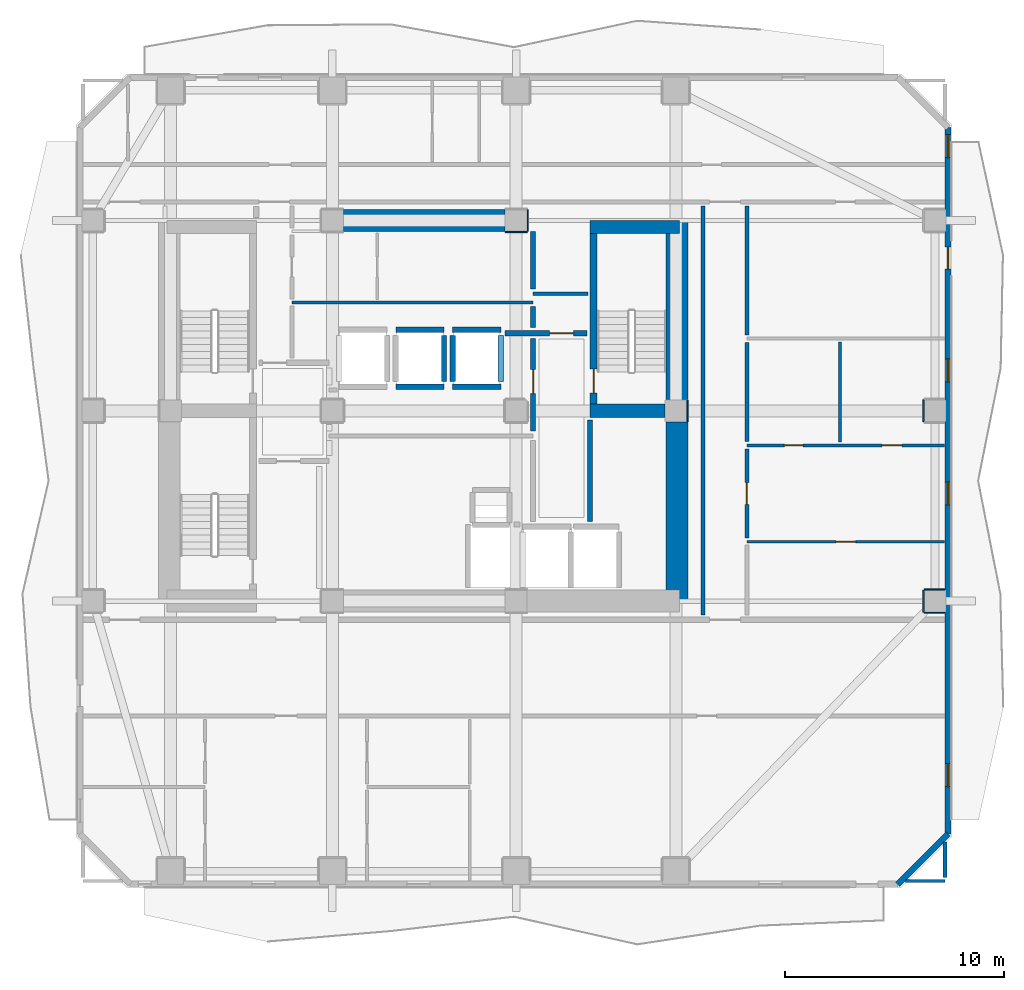
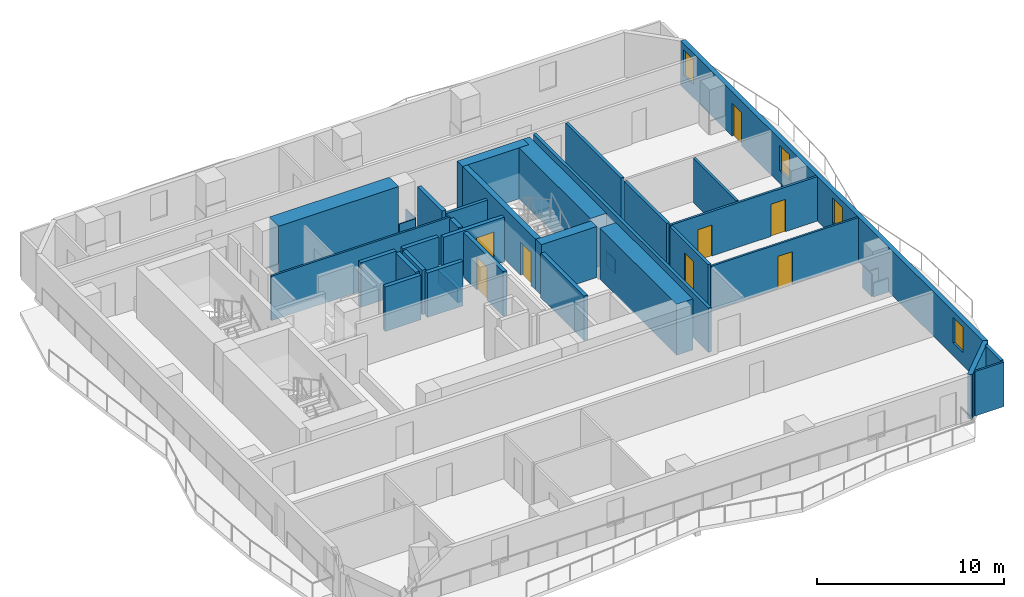
# One storey, part 4 of 9: 38 walls, 8 doors, 4 windows, 12 openings.
"""IFC4 building model written with IfcOpenShell, lengths in metres."""

from ifc_helpers import new_model, si_unit, direction, frame, frame_2d, origin, place, context, subcontext, project, spatial, rectangle, extrude, material, layer, layer_set, type_object, element, fill, save


model = new_model("IFC4")

# Units and contexts
model_context = context("Model", 3, precision=1e-05, world=origin(), true_north=direction((0.0, 1.0)))
body_context = subcontext(model_context, "Body", "Model", "MODEL_VIEW")
ifc_project = project(units=[si_unit("LENGTHUNIT", "METRE"), si_unit("AREAUNIT", "SQUARE_METRE"), si_unit("VOLUMEUNIT", "CUBIC_METRE"), si_unit("PLANEANGLEUNIT", "RADIAN"), si_unit("MASSUNIT", "GRAM", prefix="KILO")], contexts=[model_context])

# Site, building, storey
site_placement = place(None, origin())
site = spatial("IfcSite", under=ifc_project, at=site_placement, CompositionType="ELEMENT")
building_placement = place(site_placement, origin())
building = spatial("IfcBuilding", under=site, at=building_placement, Name="Solanera Arch Residences", CompositionType="ELEMENT")
storey_placement = place(building_placement, frame((0.0, 0.0, 142.60009765625)))
storey = spatial("IfcBuildingStorey", under=building, at=storey_placement, Name="L41", CompositionType="ELEMENT", Elevation=142.60009765625)

# Walls
ifc_material_1 = material(Name="Fire-Rated Gypsum Stud Partition", Category="gypsum")
ifc_layer_1 = layer(ifc_material_1, 0.06005859375)
ifc_layer_set_1 = layer_set([ifc_layer_1], Name="Fire-Rated Gypsum Stud Partition")
wall_type_1 = type_object("IfcWallType", Name="Column Acoustic Furring Wall 60", PredefinedType="PARTITIONING", material=ifc_layer_set_1)
for number, where, z_axis, x_axis, name in (
    (1, (28.699951171875, 38.867919921875, 0.0), (0.0, 0.0, 1.0), (1.0, 0.0, 0.0), "L41 Column Furring 4S"),
    (2, (29.73193359375, 38.89990234375, 0.0), (0.0, 0.0, 1.0), (0.0, 1.0, 0.0), "L41 Column Furring 4E"),
):
    element("IfcWall", number, at=place(storey_placement, frame(where, z_axis=z_axis, x_axis=x_axis)), inside=storey, type_object=wall_type_1, Name=name, PredefinedType="PARTITIONING", context=body_context, shape_type="SweptSolid", body=[
        extrude(rectangle(XDim=1.0, YDim=0.06005859375, at=frame_2d((0.5, 0.0))), origin(), (0.0, 0.0, 1.0), 0.90478515625),
    ])
wall_1_placement = place(storey_placement, frame((37.031982421875, 30.2099609375, 0.0), z_axis=(0.0, 0.0, 1.0), x_axis=(0.0, 1.0, 0.0)))
element("IfcWall", 3, at=wall_1_placement, inside=storey, type_object=wall_type_1, Name="L41 Column Furring 6E", PredefinedType="PARTITIONING", context=body_context, shape_type="SweptSolid", body=[
    extrude(rectangle(XDim=0.97998046875, YDim=0.06005859375, at=frame_2d((0.489990234375, 0.0))), origin(), (0.0, 0.0, 1.0), 0.90478515625),
])
for number, where, z_axis, x_axis, name in (
    (4, (47.85009765625, 21.468017578125, 0.0), (0.0, 0.0, 1.0), (1.0, 0.0, 0.0), "L41 Column Furring 18S"),
    (5, (47.85009765625, 22.531982421875, 0.0), (0.0, 0.0, 1.0), (1.0, 0.0, 0.0), "L41 Column Furring 18N"),
):
    element("IfcWall", number, at=place(storey_placement, frame(where, z_axis=z_axis, x_axis=x_axis)), inside=storey, type_object=wall_type_1, Name=name, PredefinedType="PARTITIONING", context=body_context, shape_type="SweptSolid", body=[
        extrude(rectangle(XDim=0.93994140625, YDim=0.06005859375, at=frame_2d((0.469970703125, 0.0))), origin(), (0.0, 0.0, 1.0), 0.90478515625),
    ])
for number, where, z_axis, x_axis, name in (
    (6, (47.818115234375, 21.5, 0.0), (0.0, 0.0, 1.0), (0.0, 1.0, 0.0), "L41 Column Furring 18W"),
    (7, (47.818115234375, 30.199951171875, 0.0), (0.0, 0.0, 1.0), (0.0, 1.0, 0.0), "L41 Column Furring 20W"),
):
    element("IfcWall", number, at=place(storey_placement, frame(where, z_axis=z_axis, x_axis=x_axis)), inside=storey, type_object=wall_type_1, Name=name, PredefinedType="PARTITIONING", context=body_context, shape_type="SweptSolid", body=[
        extrude(rectangle(XDim=1.0, YDim=0.06005859375, at=frame_2d((0.5, 0.0))), origin(), (0.0, 0.0, 1.0), 1.449951171875),
    ])
ifc_material_2 = material(Name="Concrete C55/67 (f'c = 60 MPa)", Category="concrete")
ifc_layer_2 = layer(ifc_material_2, 1.0)
ifc_layer_set_2 = layer_set([ifc_layer_2], Name="Concrete C55/67 (f'c = 60 MPa)")
wall_type_2 = type_object("IfcWallType", Name="Core Shear Wall CW-1000", PredefinedType="SHEAR", material=ifc_layer_set_2)
wall_2_placement = place(storey_placement, frame((36.56005859375, 22.0, 0.0), z_axis=(0.0, 0.0, 1.0), x_axis=(0.0, 1.0, 0.0)))
element("IfcWall", 8, at=wall_2_placement, inside=storey, type_object=wall_type_2, Name="L41 East Core South Shear Wall", PredefinedType="SHEAR", context=body_context, shape_type="SweptSolid", body=[
    extrude(rectangle(XDim=8.195068359375, YDim=1.0, at=frame_2d((4.09765625, 0.0))), origin(), (0.0, 0.0, 1.0), 3.31982421875),
])
wall_3_placement = place(storey_placement, frame((36.56005859375, 31.205078125, 0.0), z_axis=(0.0, 0.0, 1.0), x_axis=(0.0, 1.0, 0.0)))
element("IfcWall", 9, at=wall_3_placement, inside=storey, type_object=wall_type_2, Name="L41 East Core North Shear Wall", PredefinedType="SHEAR", context=body_context, shape_type="SweptSolid", body=[
    extrude(rectangle(XDim=8.19482421875, YDim=1.0, at=frame_2d((4.097412109375, 0.0))), origin(), (0.0, 0.0, 1.0), 3.31982421875),
])
wall_4_placement = place(storey_placement, frame((21.304931640625, 39.39990234375, 0.0), z_axis=(0.0, 0.0, 1.0), x_axis=(1.0, 0.0, 0.0)))
element("IfcWall", 10, at=wall_4_placement, inside=storey, type_object=wall_type_2, Name="L41 Central North Core Shear Wall", PredefinedType="SHEAR", context=body_context, shape_type="SweptSolid", body=[
    extrude(rectangle(XDim=7.39013671875, YDim=1.0, at=frame_2d((3.695068359375, 0.0))), origin(), (0.0, 0.0, 1.0), 3.31982421875),
])

# Wall, opening, door
ifc_material_3 = material(Name="Concrete C40/50 (f'c = 45 MPa)", Category="concrete")
ifc_layer_3 = layer(ifc_material_3, 0.320068359375)
ifc_layer_set_3 = layer_set([ifc_layer_3], Name="Concrete C40/50 (f'c = 45 MPa)")
wall_type_3 = type_object("IfcWallType", Name="Core Shear Wall CW-320", PredefinedType="SHEAR", material=ifc_layer_set_3)
wall_5_placement = place(storey_placement, frame((32.739990234375, 31.0, 0.0), z_axis=(0.0, 0.0, 1.0), x_axis=(0.0, 1.0, 0.0)))
wall_5 = element("IfcWall", 11, at=wall_5_placement, inside=storey, type_object=wall_type_3, Name="L41 Stair ST-T2 West Shear Wall", PredefinedType="SHEAR", context=body_context, shape_type="SweptSolid", body=[
    extrude(rectangle(XDim=7.800048828125, YDim=0.320068359375, at=frame_2d((3.89990234375, 0.0))), origin(), (0.0, 0.0, 1.0), 3.31982421875),
])
opening_1_placement = place(wall_5_placement, frame((0.510009765625, 0.0, 0.0)))
opening_1 = element("IfcOpeningElement", 12, at=opening_1_placement, cuts=wall_5, Name="Opening DF-01", PredefinedType="OPENING", context=body_context, shape_type="SweptSolid", body=[
    extrude(rectangle(XDim=1.10009765625, YDim=2.14990234375, at=frame_2d((0.550048828125, 1.074951171875))), frame((0.0, 0.169921875, 0.0), z_axis=(0.0, -1.0, 0.0), x_axis=(1.0, 0.0, 0.0)), (0.0, 0.0, 1.0), 0.3401),
])
ifc_material_4 = material(Name="Fire-Rated Architectural Hardwood", Category="wood")
door_type_1 = type_object("IfcDoorType", Name="Stair Exit Fire Door DF-01", OperationType="NOTDEFINED", PredefinedType="DOOR", material=ifc_material_4)
door_1_placement = place(opening_1_placement, origin())
door_1 = element("IfcDoor", 13, at=door_1_placement, inside=storey, type_object=door_type_1, Name="DR-L41-STAIR-ST-T2", OperationType="SINGLE_SWING_LEFT", OverallHeight=2.14990234375, OverallWidth=1.10009765625, PredefinedType="DOOR", context=body_context, shape_type="SweptSolid", body=[
    extrude(rectangle(XDim=1.10009765625, YDim=2.14990234375, at=frame_2d((0.550048828125, 1.074951171875))), frame((0.0, 0.02490234375, 0.0), z_axis=(0.0, -1.0, 0.0), x_axis=(1.0, 0.0, 0.0)), (0.0, 0.0, 1.0), 0.050048828125),
])
fill(opening_1, door_1)

# Walls
ifc_material_5 = material(Name="Concrete C40/50 (f'c = 45 MPa)", Category="concrete")
ifc_layer_4 = layer(ifc_material_5, 0.60009765625)
ifc_layer_set_4 = layer_set([ifc_layer_4], Name="Concrete C40/50 (f'c = 45 MPa)")
wall_type_4 = type_object("IfcWallType", Name="Core Shear Wall CW-600", PredefinedType="SHEAR", material=ifc_layer_set_4)
wall_6_placement = place(storey_placement, frame((32.580078125, 39.10009765625, 0.0), z_axis=(0.0, 0.0, 1.0), x_axis=(1.0, 0.0, 0.0)))
element("IfcWall", 14, at=wall_6_placement, inside=storey, type_object=wall_type_4, Name="L41 North-East Core Shear Wall", PredefinedType="SHEAR", context=body_context, shape_type="SweptSolid", body=[
    extrude(rectangle(XDim=4.079833984375, YDim=0.60009765625, at=frame_2d((2.0400390625, 0.0))), origin(), (0.0, 0.0, 1.0), 3.31982421875),
])
wall_7_placement = place(storey_placement, frame((32.580078125, 30.699951171875, 0.0), z_axis=(0.0, 0.0, 1.0), x_axis=(1.0, 0.0, 0.0)))
element("IfcWall", 15, at=wall_7_placement, inside=storey, type_object=wall_type_4, Name="L41 East Stair Far-Landing Shear Wall", PredefinedType="SHEAR", context=body_context, shape_type="SweptSolid", body=[
    extrude(rectangle(XDim=3.4150390625, YDim=0.60009765625, at=frame_2d((1.70751953125, 0.0))), origin(), (0.0, 0.0, 1.0), 3.31982421875),
])
ifc_material_6 = material(Name="Autoclaved Aerated Concrete Blockwork", Category="masonry")
ifc_layer_5 = layer(ifc_material_6, 0.179931640625)
ifc_layer_set_5 = layer_set([ifc_layer_5], Name="Autoclaved Aerated Concrete Blockwork")
wall_type_5 = type_object("IfcWallType", Name="Corridor Fire Partition 180", PredefinedType="PARTITIONING", material=ifc_layer_set_5)
wall_8_placement = place(storey_placement, frame((29.97509765625, 36.050048828125, 0.0), z_axis=(0.0, 0.0, 1.0), x_axis=(1.0, 0.0, 0.0)))
element("IfcWall", 16, at=wall_8_placement, inside=storey, type_object=wall_type_5, Name="L41 Interior Partition H9", PredefinedType="PARTITIONING", context=body_context, shape_type="SweptSolid", body=[
    extrude(rectangle(XDim=2.5048828125, YDim=0.179931640625, at=frame_2d((1.25244140625, 0.0))), origin(), (0.0, 0.0, 1.0), 2.89990234375),
])
wall_9_placement = place(storey_placement, frame((37.75, 21.367919921875, 0.0), z_axis=(0.0, 0.0, 1.0), x_axis=(0.0, 1.0, 0.0)))
element("IfcWall", 17, at=wall_9_placement, inside=storey, type_object=wall_type_5, Name="L41 Interior Partition V10", PredefinedType="PARTITIONING", context=body_context, shape_type="SweptSolid", body=[
    extrude(rectangle(XDim=18.694091796875, YDim=0.179931640625, at=frame_2d((9.34716796875, 0.0))), origin(), (0.0, 0.0, 1.0), 2.89990234375),
])

# Wall, opening, door
wall_10_placement = place(storey_placement, frame((39.75, 24.876953125, 0.0), z_axis=(0.0, 0.0, 1.0), x_axis=(0.0, 1.0, 0.0)))
wall_10 = element("IfcWall", 18, at=wall_10_placement, inside=storey, type_object=wall_type_5, Name="L41 Interior Partition V11 2", PredefinedType="PARTITIONING", context=body_context, shape_type="SweptSolid", body=[
    extrude(rectangle(XDim=4.074951171875, YDim=0.179931640625, at=frame_2d((2.03759765625, 0.0))), origin(), (0.0, 0.0, 1.0), 2.89990234375),
])
opening_2_placement = place(wall_10_placement, frame((1.54296875, 0.0, 0.0)))
opening_2 = element("IfcOpeningElement", 19, at=opening_2_placement, cuts=wall_10, Name="Opening DI-01", PredefinedType="OPENING", context=body_context, shape_type="SweptSolid", body=[
    extrude(rectangle(XDim=1.0, YDim=2.14990234375, at=frame_2d((0.5, 1.074951171875))), frame((0.0, 0.10009765625, 0.0), z_axis=(0.0, -1.0, 0.0), x_axis=(1.0, 0.0, 0.0)), (0.0, 0.0, 1.0), 0.1999),
])
ifc_material_7 = material(Name="Fire-Rated Architectural Hardwood", Category="wood")
door_type_2 = type_object("IfcDoorType", Name="Unit Entrance Fire Door DI-01", OperationType="NOTDEFINED", PredefinedType="DOOR", material=ifc_material_7)
door_2_placement = place(opening_2_placement, origin())
door_2 = element("IfcDoor", 20, at=door_2_placement, inside=storey, type_object=door_type_2, Name="DR-L41-IN-026", OperationType="SINGLE_SWING_LEFT", OverallHeight=2.14990234375, OverallWidth=1.0, PredefinedType="DOOR", context=body_context, shape_type="SweptSolid", body=[
    extrude(rectangle(XDim=1.0, YDim=2.14990234375, at=frame_2d((0.5, 1.074951171875))), frame((0.0, 0.02490234375, 0.0), z_axis=(0.0, -1.0, 0.0), x_axis=(1.0, 0.0, 0.0)), (0.0, 0.0, 1.0), 0.050048828125),
])
fill(opening_2, door_2)

# Walls
wall_11_placement = place(storey_placement, frame((39.75, 29.2880859375, 0.0), z_axis=(0.0, 0.0, 1.0), x_axis=(0.0, 1.0, 0.0)))
element("IfcWall", 21, at=wall_11_placement, inside=storey, type_object=wall_type_5, Name="L41 Interior Partition V11 3", PredefinedType="PARTITIONING", context=body_context, shape_type="SweptSolid", body=[
    extrude(rectangle(XDim=4.5439453125, YDim=0.179931640625, at=frame_2d((2.27197265625, 0.0))), origin(), (0.0, 0.0, 1.0), 2.89990234375),
])
wall_12_placement = place(storey_placement, frame((39.75, 34.16796875, 0.0), z_axis=(0.0, 0.0, 1.0), x_axis=(0.0, 1.0, 0.0)))
element("IfcWall", 22, at=wall_12_placement, inside=storey, type_object=wall_type_5, Name="L41 Interior Partition V11 4", PredefinedType="PARTITIONING", context=body_context, shape_type="SweptSolid", body=[
    extrude(rectangle(XDim=5.89404296875, YDim=0.179931640625, at=frame_2d((2.947021484375, 0.0))), origin(), (0.0, 0.0, 1.0), 2.89990234375),
])
wall_13_placement = place(storey_placement, frame((48.800048828125, 9.35791015625, 0.0), z_axis=(0.0, 0.0, 1.0), x_axis=(0.0, 1.0, 0.0)))
element("IfcWall", 23, at=wall_13_placement, inside=storey, type_object=wall_type_5, Name="L41 Interior Partition V12 1", PredefinedType="PARTITIONING", context=body_context, shape_type="SweptSolid", body=[
    extrude(rectangle(XDim=1.63720703125, YDim=0.179931640625, at=frame_2d((0.818603515625, 0.0))), origin(), (0.0, 0.0, 1.0), 2.89990234375),
])

# Wall, openings, door, windows
ifc_material_8 = material(Name="Precast Concrete C35/45", Category="concrete")
ifc_layer_6 = layer(ifc_material_8, 0.280029296875)
ifc_layer_set_6 = layer_set([ifc_layer_6], Name="Precast Concrete C35/45")
wall_type_6 = type_object("IfcWallType", Name="Exterior Wall Precast Masonry-Frame 280", PredefinedType="STANDARD", material=ifc_layer_set_6)
wall_14_placement = place(storey_placement, frame((48.945068359375, 43.64501953125, 0.0), z_axis=(0.0, 0.0, 1.0), x_axis=(0.0, -1.0, 0.0)))
wall_14 = element("IfcWall", 24, at=wall_14_placement, inside=storey, type_object=wall_type_6, Name="L41 Tower Exterior Precast Masonry-Frame Wall E", PredefinedType="STANDARD", context=body_context, shape_type="SweptSolid", body=[
    extrude(rectangle(XDim=32.2900390625, YDim=0.280029296875, at=frame_2d((16.14501953125, 0.0))), origin(), (0.0, 0.0, 1.0), 2.89990234375),
])
opening_3_placement = place(wall_14_placement, frame((5.467041015625, 0.0, 0.0)))
opening_3 = element("IfcOpeningElement", 25, at=opening_3_placement, cuts=wall_14, Name="Opening DB-01", PredefinedType="OPENING", context=body_context, shape_type="SweptSolid", body=[
    extrude(rectangle(XDim=1.0, YDim=2.14990234375, at=frame_2d((0.5, 1.074951171875))), frame((0.0, 0.14990234375, 0.0), z_axis=(0.0, -1.0, 0.0), x_axis=(1.0, 0.0, 0.0)), (0.0, 0.0, 1.0), 0.3),
])
opening_4_placement = place(wall_14_placement, frame((29.072998046875, 0.0, 0.85009765625)))
opening_4 = element("IfcOpeningElement", 26, at=opening_4_placement, cuts=wall_14, Name="Opening W-07", PredefinedType="OPENING", context=body_context, shape_type="SweptSolid", body=[
    extrude(rectangle(XDim=1.050048828125, YDim=1.64990234375, at=frame_2d((0.52490234375, 0.824951171875))), frame((0.0, 0.14990234375, 0.0), z_axis=(0.0, -1.0, 0.0), x_axis=(1.0, 0.0, 0.0)), (0.0, 0.0, 1.0), 0.3),
])
opening_5_placement = place(wall_14_placement, frame((0.318115234375, 0.0, 0.85009765625)))
opening_5 = element("IfcOpeningElement", 27, at=opening_5_placement, cuts=wall_14, Name="Opening W-07", PredefinedType="OPENING", context=body_context, shape_type="SweptSolid", body=[
    extrude(rectangle(XDim=1.050048828125, YDim=1.64990234375, at=frame_2d((0.52490234375, 0.824951171875))), frame((0.0, 0.14990234375, 0.0), z_axis=(0.0, -1.0, 0.0), x_axis=(1.0, 0.0, 0.0)), (0.0, 0.0, 1.0), 0.3),
])
opening_6_placement = place(wall_14_placement, frame((16.200927734375, 0.0, 0.85009765625)))
opening_6 = element("IfcOpeningElement", 28, at=opening_6_placement, cuts=wall_14, Name="Opening W-07", PredefinedType="OPENING", context=body_context, shape_type="SweptSolid", body=[
    extrude(rectangle(XDim=1.050048828125, YDim=1.64990234375, at=frame_2d((0.52490234375, 0.824951171875))), frame((0.0, 0.14990234375, 0.0), z_axis=(0.0, -1.0, 0.0), x_axis=(1.0, 0.0, 0.0)), (0.0, 0.0, 1.0), 0.3),
])
opening_7_placement = place(wall_14_placement, frame((10.570068359375, 0.0, 0.85009765625)))
opening_7 = element("IfcOpeningElement", 29, at=opening_7_placement, cuts=wall_14, Name="Opening W-07", PredefinedType="OPENING", context=body_context, shape_type="SweptSolid", body=[
    extrude(rectangle(XDim=1.050048828125, YDim=1.64990234375, at=frame_2d((0.52490234375, 0.824951171875))), frame((0.0, 0.14990234375, 0.0), z_axis=(0.0, -1.0, 0.0), x_axis=(1.0, 0.0, 0.0)), (0.0, 0.0, 1.0), 0.3),
])
ifc_material_9 = material(Name="Anodised Aluminium Alloy 6063-T6", Category="aluminium")
door_type_3 = type_object("IfcDoorType", Name="Glazed Balcony Swing Door DB-01", OperationType="NOTDEFINED", PredefinedType="DOOR", material=ifc_material_9)
door_3_placement = place(opening_3_placement, origin())
door_3 = element("IfcDoor", 30, at=door_3_placement, inside=storey, type_object=door_type_3, Name="DR-L41-OUT-03", OperationType="SINGLE_SWING_LEFT", OverallHeight=2.14990234375, OverallWidth=1.0, PredefinedType="DOOR", context=body_context, shape_type="SweptSolid", body=[
    extrude(rectangle(XDim=1.0, YDim=2.14990234375, at=frame_2d((0.5, 1.074951171875))), frame((0.0, 0.02490234375, 0.0), z_axis=(0.0, -1.0, 0.0), x_axis=(1.0, 0.0, 0.0)), (0.0, 0.0, 1.0), 0.050048828125),
])
fill(opening_3, door_3)
ifc_material_10 = material(Name="Double Glazed Low-E Laminated Glass", Category="glass")
window_type = type_object("IfcWindowType", Name="Punched Window W-07", PartitioningType="SINGLE_PANEL", PredefinedType="WINDOW", material=ifc_material_10)
window_1_placement = place(opening_4_placement, origin())
window_1 = element("IfcWindow", 31, at=window_1_placement, inside=storey, type_object=window_type, Name="L41 AMN-LNG Punched Window", OverallHeight=1.64990234375, OverallWidth=1.050048828125, PartitioningType="SINGLE_PANEL", PredefinedType="WINDOW", context=body_context, shape_type="SweptSolid", body=[
    extrude(rectangle(XDim=1.050048828125, YDim=1.64990234375, at=frame_2d((0.52490234375, 0.824951171875))), frame((0.0, 0.030029296875, 0.0), z_axis=(0.0, -1.0, 0.0), x_axis=(1.0, 0.0, 0.0)), (0.0, 0.0, 1.0), 0.06005859375),
])
fill(opening_4, window_1)
window_2_placement = place(opening_5_placement, origin())
window_2 = element("IfcWindow", 32, at=window_2_placement, inside=storey, type_object=window_type, Name="L41 AMN-MTG1 Punched Window", OverallHeight=1.64990234375, OverallWidth=1.050048828125, PartitioningType="SINGLE_PANEL", PredefinedType="WINDOW", context=body_context, shape_type="SweptSolid", body=[
    extrude(rectangle(XDim=1.050048828125, YDim=1.64990234375, at=frame_2d((0.52490234375, 0.824951171875))), frame((0.0, 0.030029296875, 0.0), z_axis=(0.0, -1.0, 0.0), x_axis=(1.0, 0.0, 0.0)), (0.0, 0.0, 1.0), 0.06005859375),
])
fill(opening_5, window_2)
window_3_placement = place(opening_6_placement, origin())
window_3 = element("IfcWindow", 33, at=window_3_placement, inside=storey, type_object=window_type, Name="L41 4103-LIV Punched Window", OverallHeight=1.64990234375, OverallWidth=1.050048828125, PartitioningType="SINGLE_PANEL", PredefinedType="WINDOW", context=body_context, shape_type="SweptSolid", body=[
    extrude(rectangle(XDim=1.050048828125, YDim=1.64990234375, at=frame_2d((0.52490234375, 0.824951171875))), frame((0.0, 0.030029296875, 0.0), z_axis=(0.0, -1.0, 0.0), x_axis=(1.0, 0.0, 0.0)), (0.0, 0.0, 1.0), 0.06005859375),
])
fill(opening_6, window_3)
window_4_placement = place(opening_7_placement, origin())
window_4 = element("IfcWindow", 34, at=window_4_placement, inside=storey, type_object=window_type, Name="L41 4103-BR1 Punched Window", OverallHeight=1.64990234375, OverallWidth=1.050048828125, PartitioningType="SINGLE_PANEL", PredefinedType="WINDOW", context=body_context, shape_type="SweptSolid", body=[
    extrude(rectangle(XDim=1.050048828125, YDim=1.64990234375, at=frame_2d((0.52490234375, 0.824951171875))), frame((0.0, 0.030029296875, 0.0), z_axis=(0.0, -1.0, 0.0), x_axis=(1.0, 0.0, 0.0)), (0.0, 0.0, 1.0), 0.06005859375),
])
fill(opening_7, window_4)

# Walls
wall_15_placement = place(storey_placement, frame((48.945068359375, 11.35498046875, 0.0), z_axis=(0.0, 0.0, 1.0), x_axis=(-0.707106781187, -0.707106781187, 0.0)))
element("IfcWall", 35, at=wall_15_placement, inside=storey, type_object=wall_type_6, Name="L41 Tower Exterior Precast Masonry-Frame Wall CH5", PredefinedType="STANDARD", context=body_context, shape_type="SweptSolid", body=[
    extrude(rectangle(XDim=3.252685546875, YDim=0.280029296875, at=frame_2d((1.62646484375, 0.0))), origin(), (0.0, 0.0, 1.0), 2.89990234375),
])
ifc_material_11 = material(Name="Autoclaved Aerated Concrete Blockwork", Category="masonry")
ifc_layer_7 = layer(ifc_material_11, 0.239990234375)
ifc_layer_set_7 = layer_set([ifc_layer_7], Name="Autoclaved Aerated Concrete Blockwork")
wall_type_7 = type_object("IfcWallType", Name="Shaft Wall Fire-Rated 240", PredefinedType="PARTITIONING", material=ifc_layer_set_7)
for number, where, z_axis, x_axis, name in (
    (36, (23.699951171875, 31.800048828125, 0.0), (0.0, 0.0, 1.0), (1.0, 0.0, 0.0), "L41 Lift PL-M2 Hoistway Wall S"),
    (37, (23.699951171875, 34.39990234375, 0.0), (0.0, 0.0, 1.0), (1.0, 0.0, 0.0), "L41 Lift PL-M2 Hoistway Wall N"),
):
    element("IfcWall", number, at=place(storey_placement, frame(where, z_axis=z_axis, x_axis=x_axis)), inside=storey, type_object=wall_type_7, Name=name, PredefinedType="PARTITIONING", context=body_context, shape_type="SweptSolid", body=[
        extrude(rectangle(XDim=2.199951171875, YDim=0.239990234375, at=frame_2d((1.10009765625, 0.0))), origin(), (0.0, 0.0, 1.0), 2.89990234375),
    ])
wall_16_placement = place(storey_placement, frame((25.89990234375, 32.048095703125, 0.0), z_axis=(0.0, 0.0, 1.0), x_axis=(0.0, 1.0, 0.0)))
element("IfcWall", 38, at=wall_16_placement, inside=storey, type_object=wall_type_7, Name="L41 Lift PL-M2 Hoistway Wall E", PredefinedType="PARTITIONING", context=body_context, shape_type="SweptSolid", body=[
    extrude(rectangle(XDim=2.10400390625, YDim=0.239990234375, at=frame_2d((1.052001953125, 0.0))), origin(), (0.0, 0.0, 1.0), 2.89990234375),
])
for number, where, z_axis, x_axis, name in (
    (39, (26.300048828125, 31.800048828125, 0.0), (0.0, 0.0, 1.0), (1.0, 0.0, 0.0), "L41 Lift PL-M3 Hoistway Wall S"),
    (40, (26.300048828125, 34.39990234375, 0.0), (0.0, 0.0, 1.0), (1.0, 0.0, 0.0), "L41 Lift PL-M3 Hoistway Wall N"),
):
    element("IfcWall", number, at=place(storey_placement, frame(where, z_axis=z_axis, x_axis=x_axis)), inside=storey, type_object=wall_type_7, Name=name, PredefinedType="PARTITIONING", context=body_context, shape_type="SweptSolid", body=[
        extrude(rectangle(XDim=2.199951171875, YDim=0.239990234375, at=frame_2d((1.10009765625, 0.0))), origin(), (0.0, 0.0, 1.0), 2.89990234375),
    ])
wall_17_placement = place(storey_placement, frame((26.300048828125, 32.048095703125, 0.0), z_axis=(0.0, 0.0, 1.0), x_axis=(0.0, 1.0, 0.0)))
element("IfcWall", 41, at=wall_17_placement, inside=storey, type_object=wall_type_7, Name="L41 Lift PL-M3 Hoistway Wall W", PredefinedType="PARTITIONING", context=body_context, shape_type="SweptSolid", body=[
    extrude(rectangle(XDim=2.10400390625, YDim=0.239990234375, at=frame_2d((1.052001953125, 0.0))), origin(), (0.0, 0.0, 1.0), 2.89990234375),
])
wall_18_placement = place(storey_placement, frame((28.5, 32.048095703125, 0.0), z_axis=(0.0, 0.0, 1.0), x_axis=(0.0, 1.0, 0.0)))
element("IfcWall", 42, at=wall_18_placement, inside=storey, type_object=wall_type_7, Name="L41 Lift PL-M3 Hoistway Wall E", PredefinedType="PARTITIONING", context=body_context, shape_type="SweptSolid", body=[
    extrude(rectangle(XDim=2.10400390625, YDim=0.239990234375, at=frame_2d((1.052001953125, 0.0))), origin(), (0.0, 0.0, 1.0), 0.90478515625),
])

# Wall, opening, door
wall_19_placement = place(storey_placement, frame((28.701904296875, 34.25, 0.0), z_axis=(0.0, 0.0, 1.0), x_axis=(1.0, 0.0, 0.0)))
wall_19 = element("IfcWall", 43, at=wall_19_placement, inside=storey, type_object=wall_type_7, Name="L41 Interior Partition H5", PredefinedType="PARTITIONING", context=body_context, shape_type="SweptSolid", body=[
    extrude(rectangle(XDim=3.748046875, YDim=0.239990234375, at=frame_2d((1.8740234375, 0.0))), origin(), (0.0, 0.0, 1.0), 2.89990234375),
])
opening_8_placement = place(wall_19_placement, frame((2.02490234375, 0.0, 0.0)))
opening_8 = element("IfcOpeningElement", 44, at=opening_8_placement, cuts=wall_19, Name="Opening DF-02", PredefinedType="OPENING", context=body_context, shape_type="SweptSolid", body=[
    extrude(rectangle(XDim=1.10009765625, YDim=2.14990234375, at=frame_2d((0.550048828125, 1.074951171875))), frame((0.0, 0.1298828125, 0.0), z_axis=(0.0, -1.0, 0.0), x_axis=(1.0, 0.0, 0.0)), (0.0, 0.0, 1.0), 0.26),
])
ifc_material_12 = material(Name="Fire-Rated Architectural Hardwood", Category="wood")
door_type_4 = type_object("IfcDoorType", Name="Firefighting Lobby Fire Door DF-02", OperationType="NOTDEFINED", PredefinedType="DOOR", material=ifc_material_12)
door_4_placement = place(opening_8_placement, origin())
door_4 = element("IfcDoor", 45, at=door_4_placement, inside=storey, type_object=door_type_4, Name="DR-L41-IN-007", OperationType="SINGLE_SWING_RIGHT", OverallHeight=2.14990234375, OverallWidth=1.10009765625, PredefinedType="DOOR", context=body_context, shape_type="SweptSolid", body=[
    extrude(rectangle(XDim=1.10009765625, YDim=2.14990234375, at=frame_2d((0.550048828125, 1.074951171875))), frame((0.0, 0.02490234375, 0.0), z_axis=(0.0, -1.0, 0.0), x_axis=(1.0, 0.0, 0.0)), (0.0, 0.0, 1.0), 0.050048828125),
])
fill(opening_8, door_4)

wall_20_placement = place(storey_placement, frame((29.97509765625, 29.76806640625, 0.0), z_axis=(0.0, 0.0, 1.0), x_axis=(0.0, 1.0, 0.0)))
wall_20 = element("IfcWall", 46, at=wall_20_placement, inside=storey, type_object=wall_type_7, Name="L41 Interior Partition V4 2", PredefinedType="PARTITIONING", context=body_context, shape_type="SweptSolid", body=[
    extrude(rectangle(XDim=4.23388671875, YDim=0.239990234375, at=frame_2d((2.116943359375, 0.0))), origin(), (0.0, 0.0, 1.0), 2.89990234375),
])
opening_9_placement = place(wall_20_placement, frame((1.717041015625, 0.0, 0.0)))
opening_9 = element("IfcOpeningElement", 47, at=opening_9_placement, cuts=wall_20, Name="Opening DF-02", PredefinedType="OPENING", context=body_context, shape_type="SweptSolid", body=[
    extrude(rectangle(XDim=1.10009765625, YDim=2.14990234375, at=frame_2d((0.550048828125, 1.074951171875))), frame((0.0, 0.1298828125, 0.0), z_axis=(0.0, -1.0, 0.0), x_axis=(1.0, 0.0, 0.0)), (0.0, 0.0, 1.0), 0.26),
])
door_5_placement = place(opening_9_placement, origin())
door_5 = element("IfcDoor", 48, at=door_5_placement, inside=storey, type_object=door_type_4, Name="DR-L41-IN-006", OperationType="SINGLE_SWING_LEFT", OverallHeight=2.14990234375, OverallWidth=1.10009765625, PredefinedType="DOOR", context=body_context, shape_type="SweptSolid", body=[
    extrude(rectangle(XDim=1.10009765625, YDim=2.14990234375, at=frame_2d((0.550048828125, 1.074951171875))), frame((0.0, 0.02490234375, 0.0), z_axis=(0.0, -1.0, 0.0), x_axis=(1.0, 0.0, 0.0)), (0.0, 0.0, 1.0), 0.050048828125),
])
fill(opening_9, door_5)

# Walls
wall_21_placement = place(storey_placement, frame((29.97509765625, 34.498046875, 0.0), z_axis=(0.0, 0.0, 1.0), x_axis=(0.0, 1.0, 0.0)))
element("IfcWall", 49, at=wall_21_placement, inside=storey, type_object=wall_type_7, Name="L41 Interior Partition V4 3", PredefinedType="PARTITIONING", context=body_context, shape_type="SweptSolid", body=[
    extrude(rectangle(XDim=0.9638671875, YDim=0.239990234375, at=frame_2d((0.48193359375, 0.0))), origin(), (0.0, 0.0, 1.0), 2.89990234375),
])
wall_22_placement = place(storey_placement, frame((29.97509765625, 36.26806640625, 0.0), z_axis=(0.0, 0.0, 1.0), x_axis=(0.0, 1.0, 0.0)))
element("IfcWall", 50, at=wall_22_placement, inside=storey, type_object=wall_type_7, Name="L41 Interior Partition V4 4", PredefinedType="PARTITIONING", context=body_context, shape_type="SweptSolid", body=[
    extrude(rectangle(XDim=2.6318359375, YDim=0.239990234375, at=frame_2d((1.31591796875, 0.0))), origin(), (0.0, 0.0, 1.0), 2.89990234375),
])
wall_23_placement = place(storey_placement, frame((32.580078125, 25.64794921875, 0.0), z_axis=(0.0, 0.0, 1.0), x_axis=(0.0, 1.0, 0.0)))
element("IfcWall", 51, at=wall_23_placement, inside=storey, type_object=wall_type_7, Name="L41 Interior Partition V5", PredefinedType="PARTITIONING", context=body_context, shape_type="SweptSolid", body=[
    extrude(rectangle(XDim=4.6220703125, YDim=0.239990234375, at=frame_2d((2.31103515625, 0.0))), origin(), (0.0, 0.0, 1.0), 2.89990234375),
])
ifc_material_13 = material(Name="Fire-Rated Gypsum Stud Partition", Category="gypsum")
ifc_layer_8 = layer(ifc_material_13, 0.1201171875)
ifc_layer_set_8 = layer_set([ifc_layer_8], Name="Fire-Rated Gypsum Stud Partition")
wall_type_8 = type_object("IfcWallType", Name="Unit Drywall Partition 120", PredefinedType="PARTITIONING", material=ifc_layer_set_8)
wall_24_placement = place(storey_placement, frame((47.0048828125, 9.199951171875, 0.0), z_axis=(0.0, 0.0, 1.0), x_axis=(1.0, 0.0, 0.0)))
element("IfcWall", 52, at=wall_24_placement, inside=storey, type_object=wall_type_8, Name="L41 Interior Partition H17 2", PredefinedType="PARTITIONING", context=body_context, shape_type="SweptSolid", body=[
    extrude(rectangle(XDim=1.795166015625, YDim=0.1201171875, at=frame_2d((0.8974609375, 0.0))), origin(), (0.0, 0.0, 1.0), 2.89990234375),
])

# Wall, opening, door
wall_25_placement = place(storey_placement, frame((39.75, 24.718994140625, 0.0), z_axis=(0.0, 0.0, 1.0), x_axis=(1.0, 0.0, 0.0)))
wall_25 = element("IfcWall", 53, at=wall_25_placement, inside=storey, type_object=wall_type_8, Name="L41 Interior Partition H18", PredefinedType="PARTITIONING", context=body_context, shape_type="SweptSolid", body=[
    extrude(rectangle(XDim=9.04296875, YDim=0.1201171875, at=frame_2d((4.521484375, 0.0))), origin(), (0.0, 0.0, 1.0), 2.89990234375),
])
opening_10_placement = place(wall_25_placement, frame((4.074951171875, 0.0, 0.0)))
opening_10 = element("IfcOpeningElement", 54, at=opening_10_placement, cuts=wall_25, Name="Opening DI-02", PredefinedType="OPENING", context=body_context, shape_type="SweptSolid", body=[
    extrude(rectangle(XDim=0.89990234375, YDim=2.10009765625, at=frame_2d((0.449951171875, 1.050048828125))), frame((0.0, 0.070068359375, 0.0), z_axis=(0.0, -1.0, 0.0), x_axis=(1.0, 0.0, 0.0)), (0.0, 0.0, 1.0), 0.1401),
])
ifc_material_14 = material(Name="Fire-Rated Architectural Hardwood", Category="wood")
door_type_5 = type_object("IfcDoorType", Name="Suite Room Swing Door DI-02", OperationType="NOTDEFINED", PredefinedType="DOOR", material=ifc_material_14)
door_6_placement = place(opening_10_placement, origin())
door_6 = element("IfcDoor", 55, at=door_6_placement, inside=storey, type_object=door_type_5, Name="DR-L41-IN-027", OperationType="SINGLE_SWING_RIGHT", OverallHeight=2.10009765625, OverallWidth=0.89990234375, PredefinedType="DOOR", context=body_context, shape_type="SweptSolid", body=[
    extrude(rectangle(XDim=0.89990234375, YDim=2.10009765625, at=frame_2d((0.449951171875, 1.050048828125))), frame((0.0, 0.02490234375, 0.0), z_axis=(0.0, -1.0, 0.0), x_axis=(1.0, 0.0, 0.0)), (0.0, 0.0, 1.0), 0.050048828125),
])
fill(opening_10, door_6)

# Wall
wall_26_placement = place(storey_placement, frame((18.949951171875, 35.64990234375, 0.0), z_axis=(0.0, 0.0, 1.0), x_axis=(1.0, 0.0, 0.0)))
element("IfcWall", 56, at=wall_26_placement, inside=storey, type_object=wall_type_8, Name="L41 Interior Partition H19", PredefinedType="PARTITIONING", context=body_context, shape_type="SweptSolid", body=[
    extrude(rectangle(XDim=11.025146484375, YDim=0.1201171875, at=frame_2d((5.5126953125, 0.0))), origin(), (0.0, 0.0, 1.0), 2.89990234375),
])

# Wall, openings, doors
ifc_material_15 = material(Name="Autoclaved Aerated Concrete Blockwork", Category="masonry")
ifc_layer_9 = layer(ifc_material_15, 0.139892578125)
ifc_layer_set_9 = layer_set([ifc_layer_9], Name="Autoclaved Aerated Concrete Blockwork")
wall_type_9 = type_object("IfcWallType", Name="Wet-Room Partition 140", PredefinedType="PARTITIONING", material=ifc_layer_set_9)
wall_27_placement = place(storey_placement, frame((39.75, 29.1201171875, 0.0), z_axis=(0.0, 0.0, 1.0), x_axis=(1.0, 0.0, 0.0)))
wall_27 = element("IfcWall", 57, at=wall_27_placement, inside=storey, type_object=wall_type_9, Name="L41 Interior Partition H14", PredefinedType="PARTITIONING", context=body_context, shape_type="SweptSolid", body=[
    extrude(rectangle(XDim=9.04296875, YDim=0.139892578125, at=frame_2d((4.521484375, 0.0))), origin(), (0.0, 0.0, 1.0), 2.89990234375),
])
opening_11_placement = place(wall_27_placement, frame((1.7080078125, 0.0, 0.0)))
opening_11 = element("IfcOpeningElement", 58, at=opening_11_placement, cuts=wall_27, Name="Opening DI-05", PredefinedType="OPENING", context=body_context, shape_type="SweptSolid", body=[
    extrude(rectangle(XDim=0.860107421875, YDim=2.02001953125, at=frame_2d((0.43017578125, 1.010009765625))), frame((0.0, 0.079833984375, 0.0), z_axis=(0.0, -1.0, 0.0), x_axis=(1.0, 0.0, 0.0)), (0.0, 0.0, 1.0), 0.1599),
])
opening_12_placement = place(wall_27_placement, frame((6.18701171875, 0.0, 0.0)))
opening_12 = element("IfcOpeningElement", 59, at=opening_12_placement, cuts=wall_27, Name="Opening DI-03", PredefinedType="OPENING", context=body_context, shape_type="SweptSolid", body=[
    extrude(rectangle(XDim=0.89990234375, YDim=2.10009765625, at=frame_2d((0.449951171875, 1.050048828125))), frame((0.0, 0.079833984375, 0.0), z_axis=(0.0, -1.0, 0.0), x_axis=(1.0, 0.0, 0.0)), (0.0, 0.0, 1.0), 0.1599),
])
ifc_material_16 = material(Name="Fire-Rated Architectural Hardwood", Category="wood")
door_type_6 = type_object("IfcDoorType", Name="Bathroom Swing Door DI-05", OperationType="NOTDEFINED", PredefinedType="DOOR", material=ifc_material_16)
door_7_placement = place(opening_11_placement, origin())
door_7 = element("IfcDoor", 60, at=door_7_placement, inside=storey, type_object=door_type_6, Name="DR-L41-IN-028", OperationType="SINGLE_SWING_LEFT", OverallHeight=2.02001953125, OverallWidth=0.860107421875, PredefinedType="DOOR", context=body_context, shape_type="SweptSolid", body=[
    extrude(rectangle(XDim=0.860107421875, YDim=2.02001953125, at=frame_2d((0.43017578125, 1.010009765625))), frame((0.0, 0.02490234375, 0.0), z_axis=(0.0, -1.0, 0.0), x_axis=(1.0, 0.0, 0.0)), (0.0, 0.0, 1.0), 0.050048828125),
])
fill(opening_11, door_7)
ifc_material_17 = material(Name="Fire-Rated Architectural Hardwood", Category="wood")
door_type_7 = type_object("IfcDoorType", Name="Bedroom Swing Door DI-03", OperationType="NOTDEFINED", PredefinedType="DOOR", material=ifc_material_17)
door_8_placement = place(opening_12_placement, origin())
door_8 = element("IfcDoor", 61, at=door_8_placement, inside=storey, type_object=door_type_7, Name="DR-L41-IN-029", OperationType="SINGLE_SWING_RIGHT", OverallHeight=2.10009765625, OverallWidth=0.89990234375, PredefinedType="DOOR", context=body_context, shape_type="SweptSolid", body=[
    extrude(rectangle(XDim=0.89990234375, YDim=2.10009765625, at=frame_2d((0.449951171875, 1.050048828125))), frame((0.0, 0.02490234375, 0.0), z_axis=(0.0, -1.0, 0.0), x_axis=(1.0, 0.0, 0.0)), (0.0, 0.0, 1.0), 0.050048828125),
])
fill(opening_12, door_8)

# Wall
wall_28_placement = place(storey_placement, frame((44.0, 29.26806640625, 0.0), z_axis=(0.0, 0.0, 1.0), x_axis=(0.0, 1.0, 0.0)))
element("IfcWall", 62, at=wall_28_placement, inside=storey, type_object=wall_type_9, Name="L41 Interior Partition V15", PredefinedType="PARTITIONING", context=body_context, shape_type="SweptSolid", body=[
    extrude(rectangle(XDim=4.583984375, YDim=0.139892578125, at=frame_2d((2.2919921875, 0.0))), origin(), (0.0, 0.0, 1.0), 2.89990234375),
])

save(model, "model.ifc")
